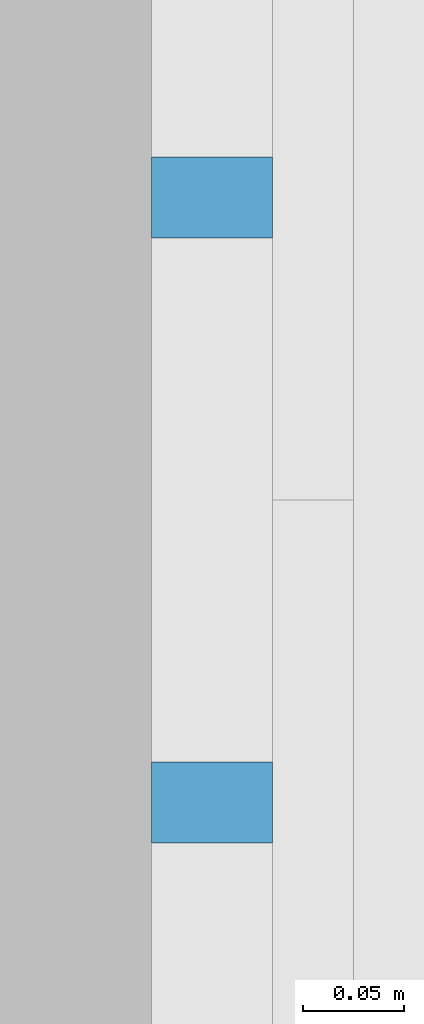
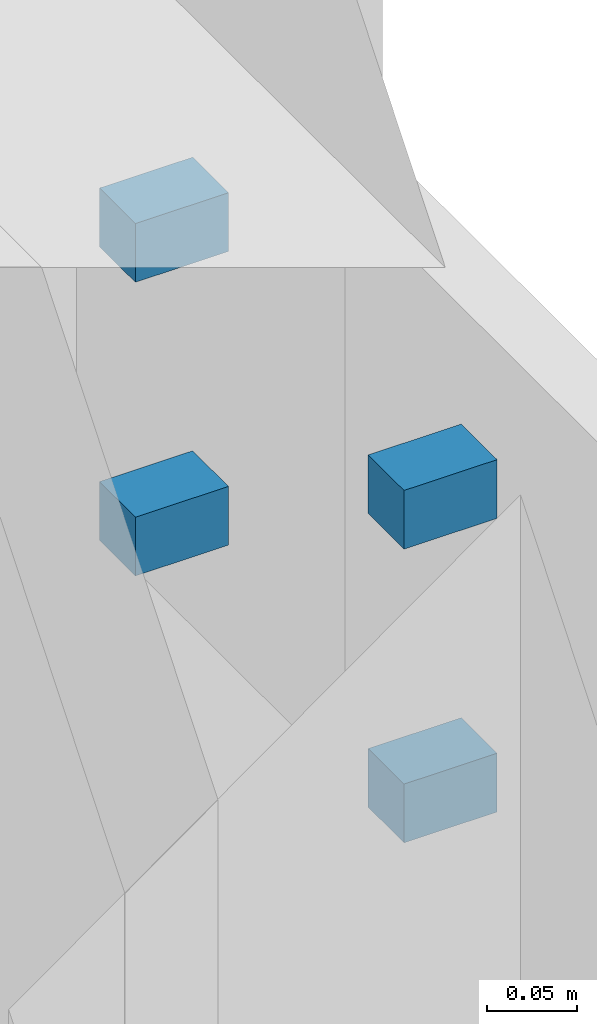
# One storey, part 52 of 71: 4 discrete accessories.
"""IFC4 building model written with IfcOpenShell, lengths in metres."""

from ifc_helpers import new_model, si_unit, direction, frame, origin, origin_2d, place, context, subcontext, project, spatial, rectangle, extrude, material, type_object, element, save


model = new_model("IFC4")

# Units and contexts
model_context = context("Model", 3, precision=1e-05, world=origin(), true_north=direction((0.0, 1.0)))
body_context = subcontext(model_context, "Body", "Model", "MODEL_VIEW")
ifc_project = project(units=[si_unit("LENGTHUNIT", "METRE"), si_unit("AREAUNIT", "SQUARE_METRE"), si_unit("VOLUMEUNIT", "CUBIC_METRE"), si_unit("PLANEANGLEUNIT", "RADIAN"), si_unit("MASSUNIT", "GRAM", prefix="KILO")], contexts=[model_context])

# Site, building, storey
site_placement = place(None, origin())
site = spatial("IfcSite", under=ifc_project, at=site_placement, CompositionType="ELEMENT")
building_placement = place(site_placement, origin())
building = spatial("IfcBuilding", under=site, at=building_placement, Name="Mazhai Court Health Centre", CompositionType="ELEMENT")
storey_placement = place(building_placement, frame((0.0, 0.0, 10.199951171875)))
storey = spatial("IfcBuildingStorey", under=building, at=storey_placement, Name="L02", CompositionType="ELEMENT", Elevation=10.199951171875)

# Discrete accessories
ifc_material = material(Name="Steel IS 2062 E250", Category="steel")
discrete_accessory_type = type_object("IfcDiscreteAccessoryType", Name="BRACKET 40", PredefinedType="BRACKET", material=ifc_material)
for number, where, z_axis, x_axis, name in (
    (1, (35.195068359375, 18.64990234375, 1.679931640625), (0.0, 0.0, 1.0), (0.0, 1.0, 0.0), "BR-V5-L02-B11a0"),
    (2, (35.195068359375, 18.64990234375, 1.880126953125), (0.0, 0.0, 1.0), (0.0, 1.0, 0.0), "BR-V5-L02-B11a1"),
    (3, (35.195068359375, 18.949951171875, 1.679931640625), (0.0, 0.0, 1.0), (0.0, 1.0, 0.0), "BR-V5-L02-B11b0"),
    (4, (35.195068359375, 18.949951171875, 1.880126953125), (0.0, 0.0, 1.0), (0.0, 1.0, 0.0), "BR-V5-L02-B11b1"),
):
    element("IfcDiscreteAccessory", number, at=place(storey_placement, frame(where, z_axis=z_axis, x_axis=x_axis)), inside=storey, type_object=discrete_accessory_type, Name=name, PredefinedType="BRACKET", context=body_context, shape_type="SweptSolid", body=[
        extrude(rectangle(XDim=0.0400390625, YDim=0.06005859375, at=origin_2d()), origin(), (0.0, 0.0, 1.0), 0.0400390625),
    ])

save(model, "model.ifc")
